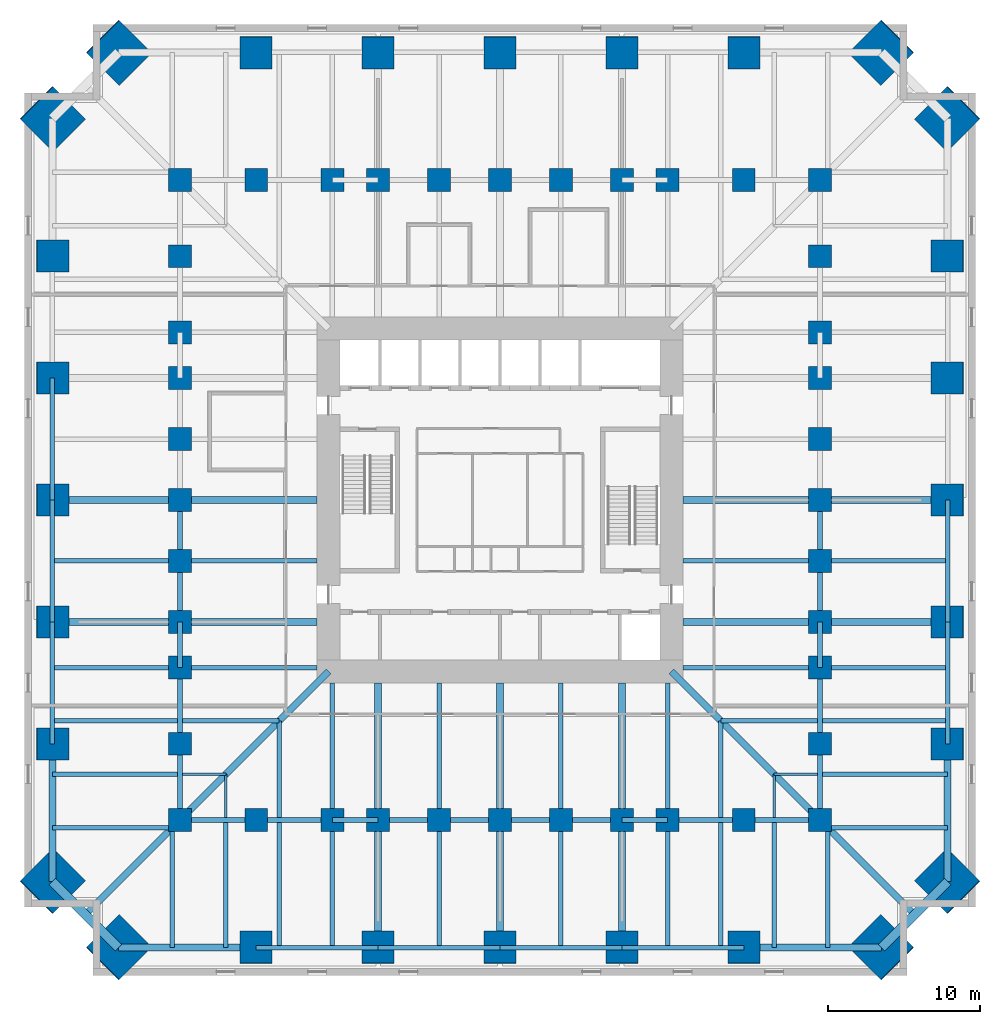
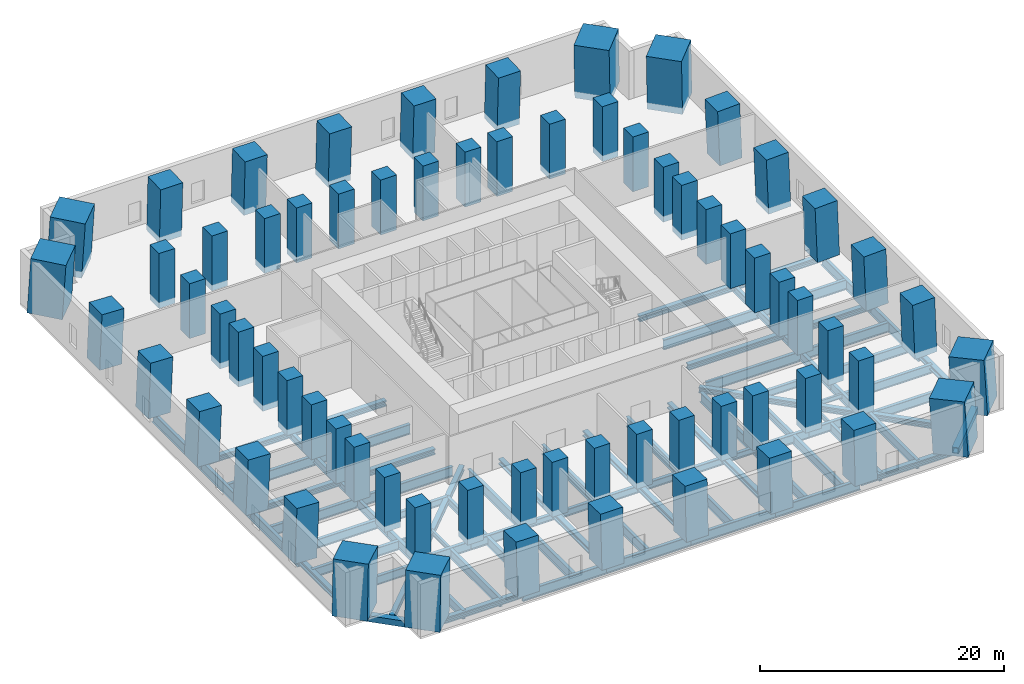
# One storey, part 1 of 8: 89 beams, 68 columns.
"""IFC4 building model written with IfcOpenShell, lengths in metres."""

from ifc_helpers import new_model, si_unit, direction, frame, origin, origin_2d, place, context, subcontext, project, spatial, rectangle, hollow_rectangle, i_section, extrude, material, material_profile, profile_set, type_object, element, save


model = new_model("IFC4")

# Units and contexts
model_context = context("Model", 3, precision=1e-05, world=origin(), true_north=direction((0.0, 1.0)))
body_context = subcontext(model_context, "Body", "Model", "MODEL_VIEW")
ifc_project = project(units=[si_unit("LENGTHUNIT", "METRE"), si_unit("AREAUNIT", "SQUARE_METRE"), si_unit("VOLUMEUNIT", "CUBIC_METRE"), si_unit("PLANEANGLEUNIT", "RADIAN"), si_unit("MASSUNIT", "GRAM", prefix="KILO")], contexts=[model_context])

# Site, building, storey
site_placement = place(None, origin())
site = spatial("IfcSite", under=ifc_project, at=site_placement, CompositionType="ELEMENT")
building_placement = place(site_placement, origin())
building = spatial("IfcBuilding", under=site, at=building_placement, Name="Peilmerk Tower", CompositionType="ELEMENT")
storey_placement = place(building_placement, frame((0.0, 0.0, 37.5)))
storey = spatial("IfcBuildingStorey", under=building, at=storey_placement, Name="L07", CompositionType="ELEMENT", Elevation=37.5)

# Columns
ifc_material_1 = material(Name="Concrete C90/105", Category="concrete")
ifc_material_profile_1 = material_profile(ifc_material_1, rectangle(XDim=3.0, YDim=3.0, at=origin_2d()), Name="RC 3000x3000")
ifc_profile_set_1 = profile_set([ifc_material_profile_1], Name="Concrete C90/105")
column_type_1 = type_object("IfcColumnType", Name="MC1 3000x3000 encased mega column", PredefinedType="COLUMN", material=ifc_profile_set_1)
for number, where, z_axis, x_axis, name in (
    (1, (25.03466796875, 29.384765625, 0.0), (-0.04024000792, -0.040284325109, 0.998377641433), (0.707495835723, -0.706717512472, 0.0), "Mega column MC1 NE_N L07"),
    (2, (29.384765625, 25.03466796875, 0.0), (-0.040284325109, -0.04024000792, 0.998377641433), (0.706717512472, -0.707495835723, 0.0), "Mega column MC1 NE_E L07"),
    (3, (29.384765625, -25.03466796875, 0.0), (-0.040284325109, 0.04024000792, 0.998377641433), (-0.706717512472, -0.707495835723, 0.0), "Mega column MC1 SE_E L07"),
    (4, (25.03466796875, -29.384765625, 0.0), (-0.04024000792, 0.040284325109, 0.998377641433), (-0.707495835723, -0.706717512472, 0.0), "Mega column MC1 SE_S L07"),
    (5, (-25.03466796875, -29.384765625, 0.0), (0.04024000792, 0.040284325109, 0.998377641433), (-0.707495835723, 0.706717512472, 0.0), "Mega column MC1 SW_S L07"),
    (6, (-29.384765625, -25.03466796875, 0.0), (0.040284325109, 0.04024000792, 0.998377641433), (-0.706717512472, 0.707495835723, 0.0), "Mega column MC1 SW_W L07"),
    (7, (-29.384765625, 25.03466796875, 0.0), (0.040284325109, -0.04024000792, 0.998377641433), (0.706717512472, 0.707495835723, 0.0), "Mega column MC1 NW_W L07"),
    (8, (-25.03466796875, 29.384765625, 0.0), (0.04024000792, -0.040284325109, 0.998377641433), (0.707495835723, 0.706717512472, 0.0), "Mega column MC1 NW_N L07"),
):
    element("IfcColumn", number, at=place(storey_placement, frame(where, z_axis=z_axis, x_axis=x_axis)), inside=storey, type_object=column_type_1, Name=name, PredefinedType="COLUMN", context=body_context, shape_type="SweptSolid", body=[
        extrude(rectangle(XDim=3.0, YDim=3.0, at=origin_2d()), origin(), (0.0, 0.0, 1.0), 5.509033203125),
    ])
ifc_material_profile_2 = material_profile(ifc_material_1, rectangle(XDim=2.10009765625, YDim=2.10009765625, at=origin_2d()), Name="RC 2100x2100")
ifc_profile_set_2 = profile_set([ifc_material_profile_2], Name="Concrete C90/105")
column_type_2 = type_object("IfcColumnType", Name="SC3 2100x2100 encased perimeter column", PredefinedType="COLUMN", material=ifc_profile_set_2)
for number, where, z_axis, x_axis, name in (
    (9, (0.0, 29.384765625, 0.0), (0.0, -0.040316980135, 0.999186940023), (1.0, 0.0, 0.0), "Perimeter column N+0 L07"),
    (10, (8.0, 29.384765625, 0.0), (0.0, -0.040316980135, 0.999186940023), (1.0, 0.0, 0.0), "Perimeter column N-8 L07"),
    (11, (-8.0, 29.384765625, 0.0), (0.0, -0.040316980135, 0.999186940023), (1.0, 0.0, 0.0), "Perimeter column N+8 L07"),
    (12, (16.0, 29.384765625, 0.0), (0.0, -0.040316980135, 0.999186940023), (1.0, 0.0, 0.0), "Perimeter column N-16 L07"),
    (13, (-16.0, 29.384765625, 0.0), (0.0, -0.040316980135, 0.999186940023), (1.0, 0.0, 0.0), "Perimeter column N+16 L07"),
    (14, (29.384765625, 0.0, 0.0), (-0.040316980135, 0.0, 0.999186940023), (0.0, -1.0, 0.0), "Perimeter column E+0 L07"),
    (15, (29.384765625, -8.0, 0.0), (-0.040316980135, 0.0, 0.999186940023), (0.0, -1.0, 0.0), "Perimeter column E-8 L07"),
    (16, (29.384765625, 8.0, 0.0), (-0.040316980135, 0.0, 0.999186940023), (0.0, -1.0, 0.0), "Perimeter column E+8 L07"),
    (17, (29.384765625, -16.0, 0.0), (-0.040316980135, 0.0, 0.999186940023), (0.0, -1.0, 0.0), "Perimeter column E-16 L07"),
    (18, (29.384765625, 16.0, 0.0), (-0.040316980135, 0.0, 0.999186940023), (0.0, -1.0, 0.0), "Perimeter column E+16 L07"),
    (19, (0.0, -29.384765625, 0.0), (0.0, 0.040316980135, 0.999186940023), (-1.0, 0.0, 0.0), "Perimeter column S+0 L07"),
    (20, (-8.0, -29.384765625, 0.0), (0.0, 0.040316980135, 0.999186940023), (-1.0, 0.0, 0.0), "Perimeter column S-8 L07"),
    (21, (8.0, -29.384765625, 0.0), (0.0, 0.040316980135, 0.999186940023), (-1.0, 0.0, 0.0), "Perimeter column S+8 L07"),
    (22, (-16.0, -29.384765625, 0.0), (0.0, 0.040316980135, 0.999186940023), (-1.0, 0.0, 0.0), "Perimeter column S-16 L07"),
    (23, (16.0, -29.384765625, 0.0), (0.0, 0.040316980135, 0.999186940023), (-1.0, 0.0, 0.0), "Perimeter column S+16 L07"),
    (24, (-29.384765625, 0.0, 0.0), (0.040316980135, 0.0, 0.999186940023), (0.0, 1.0, 0.0), "Perimeter column W+0 L07"),
    (25, (-29.384765625, 8.0, 0.0), (0.040316980135, 0.0, 0.999186940023), (0.0, 1.0, 0.0), "Perimeter column W-8 L07"),
    (26, (-29.384765625, -8.0, 0.0), (0.040316980135, 0.0, 0.999186940023), (0.0, 1.0, 0.0), "Perimeter column W+8 L07"),
    (27, (-29.384765625, 16.0, 0.0), (0.040316980135, 0.0, 0.999186940023), (0.0, 1.0, 0.0), "Perimeter column W-16 L07"),
    (28, (-29.384765625, -16.0, 0.0), (0.040316980135, 0.0, 0.999186940023), (0.0, 1.0, 0.0), "Perimeter column W+16 L07"),
):
    element("IfcColumn", number, at=place(storey_placement, frame(where, z_axis=z_axis, x_axis=x_axis)), inside=storey, type_object=column_type_2, Name=name, PredefinedType="COLUMN", context=body_context, shape_type="SweptSolid", body=[
        extrude(rectangle(XDim=2.10009765625, YDim=2.10009765625, at=origin_2d()), origin(), (0.0, 0.0, 1.0), 5.50439453125),
    ])
ifc_material_profile_3 = material_profile(ifc_material_1, rectangle(XDim=1.5, YDim=1.5, at=origin_2d()), Name="RC 1500x1500")
ifc_profile_set_3 = profile_set([ifc_material_profile_3], Name="Concrete C90/105")
column_type_3 = type_object("IfcColumnType", Name="SC4 1500x1500 encased interior column", PredefinedType="COLUMN", material=ifc_profile_set_3)
for number, where, z_axis, x_axis, name in (
    (29, (0.0, 21.0, 0.0), (0.0, 0.0, 1.0), (1.0, 0.0, 0.0), "Interior column N+0 L07"),
    (30, (4.0, 21.0, 0.0), (0.0, 0.0, 1.0), (1.0, 0.0, 0.0), "Interior column N-4 L07"),
    (31, (-4.0, 21.0, 0.0), (0.0, 0.0, 1.0), (1.0, 0.0, 0.0), "Interior column N+4 L07"),
    (32, (8.0, 21.0, 0.0), (0.0, 0.0, 1.0), (1.0, 0.0, 0.0), "Interior column N-8 L07"),
    (33, (-8.0, 21.0, 0.0), (0.0, 0.0, 1.0), (1.0, 0.0, 0.0), "Interior column N+8 L07"),
    (34, (11.0, 21.0, 0.0), (0.0, 0.0, 1.0), (1.0, 0.0, 0.0), "Interior column N-11 L07"),
    (35, (-11.0, 21.0, 0.0), (0.0, 0.0, 1.0), (1.0, 0.0, 0.0), "Interior column N+11 L07"),
    (36, (16.0, 21.0, 0.0), (0.0, 0.0, 1.0), (1.0, 0.0, 0.0), "Interior column N-16 L07"),
    (37, (-16.0, 21.0, 0.0), (0.0, 0.0, 1.0), (1.0, 0.0, 0.0), "Interior column N+16 L07"),
    (38, (21.0, 0.0, 0.0), (0.0, 0.0, 1.0), (1.0, 0.0, 0.0), "Interior column E+0 L07"),
    (39, (21.0, -4.0, 0.0), (0.0, 0.0, 1.0), (1.0, 0.0, 0.0), "Interior column E-4 L07"),
    (40, (21.0, 4.0, 0.0), (0.0, 0.0, 1.0), (1.0, 0.0, 0.0), "Interior column E+4 L07"),
    (41, (21.0, -8.0, 0.0), (0.0, 0.0, 1.0), (1.0, 0.0, 0.0), "Interior column E-8 L07"),
    (42, (21.0, 8.0, 0.0), (0.0, 0.0, 1.0), (1.0, 0.0, 0.0), "Interior column E+8 L07"),
    (43, (21.0, -11.0, 0.0), (0.0, 0.0, 1.0), (1.0, 0.0, 0.0), "Interior column E-11 L07"),
    (44, (21.0, 11.0, 0.0), (0.0, 0.0, 1.0), (1.0, 0.0, 0.0), "Interior column E+11 L07"),
    (45, (21.0, -16.0, 0.0), (0.0, 0.0, 1.0), (1.0, 0.0, 0.0), "Interior column E-16 L07"),
    (46, (21.0, 16.0, 0.0), (0.0, 0.0, 1.0), (1.0, 0.0, 0.0), "Interior column E+16 L07"),
    (47, (0.0, -21.0, 0.0), (0.0, 0.0, 1.0), (1.0, 0.0, 0.0), "Interior column S+0 L07"),
    (48, (-4.0, -21.0, 0.0), (0.0, 0.0, 1.0), (1.0, 0.0, 0.0), "Interior column S-4 L07"),
    (49, (4.0, -21.0, 0.0), (0.0, 0.0, 1.0), (1.0, 0.0, 0.0), "Interior column S+4 L07"),
    (50, (-8.0, -21.0, 0.0), (0.0, 0.0, 1.0), (1.0, 0.0, 0.0), "Interior column S-8 L07"),
    (51, (8.0, -21.0, 0.0), (0.0, 0.0, 1.0), (1.0, 0.0, 0.0), "Interior column S+8 L07"),
    (52, (-11.0, -21.0, 0.0), (0.0, 0.0, 1.0), (1.0, 0.0, 0.0), "Interior column S-11 L07"),
    (53, (11.0, -21.0, 0.0), (0.0, 0.0, 1.0), (1.0, 0.0, 0.0), "Interior column S+11 L07"),
    (54, (-16.0, -21.0, 0.0), (0.0, 0.0, 1.0), (1.0, 0.0, 0.0), "Interior column S-16 L07"),
    (55, (16.0, -21.0, 0.0), (0.0, 0.0, 1.0), (1.0, 0.0, 0.0), "Interior column S+16 L07"),
    (56, (-21.0, 0.0, 0.0), (0.0, 0.0, 1.0), (1.0, 0.0, 0.0), "Interior column W+0 L07"),
    (57, (-21.0, 4.0, 0.0), (0.0, 0.0, 1.0), (1.0, 0.0, 0.0), "Interior column W-4 L07"),
    (58, (-21.0, -4.0, 0.0), (0.0, 0.0, 1.0), (1.0, 0.0, 0.0), "Interior column W+4 L07"),
    (59, (-21.0, 8.0, 0.0), (0.0, 0.0, 1.0), (1.0, 0.0, 0.0), "Interior column W-8 L07"),
    (60, (-21.0, -8.0, 0.0), (0.0, 0.0, 1.0), (1.0, 0.0, 0.0), "Interior column W+8 L07"),
    (61, (-21.0, 11.0, 0.0), (0.0, 0.0, 1.0), (1.0, 0.0, 0.0), "Interior column W-11 L07"),
    (62, (-21.0, -11.0, 0.0), (0.0, 0.0, 1.0), (1.0, 0.0, 0.0), "Interior column W+11 L07"),
    (63, (-21.0, 16.0, 0.0), (0.0, 0.0, 1.0), (1.0, 0.0, 0.0), "Interior column W-16 L07"),
    (64, (-21.0, -16.0, 0.0), (0.0, 0.0, 1.0), (1.0, 0.0, 0.0), "Interior column W+16 L07"),
    (65, (21.0, 21.0, 0.0), (0.0, 0.0, 1.0), (1.0, 0.0, 0.0), "Interior column NE L07"),
    (66, (21.0, -21.0, 0.0), (0.0, 0.0, 1.0), (1.0, 0.0, 0.0), "Interior column SE L07"),
    (67, (-21.0, -21.0, 0.0), (0.0, 0.0, 1.0), (1.0, 0.0, 0.0), "Interior column SW L07"),
    (68, (-21.0, 21.0, 0.0), (0.0, 0.0, 1.0), (1.0, 0.0, 0.0), "Interior column NW L07"),
):
    element("IfcColumn", number, at=place(storey_placement, frame(where, z_axis=z_axis, x_axis=x_axis)), inside=storey, type_object=column_type_3, Name=name, PredefinedType="COLUMN", context=body_context, shape_type="SweptSolid", body=[
        extrude(rectangle(XDim=1.5, YDim=1.5, at=origin_2d()), origin(), (0.0, 0.0, 1.0), 5.5),
    ])

# Beams
ifc_material_2 = material(Name="Steel S355", Category="steel")
ifc_material_profile_4 = material_profile(ifc_material_2, i_section(OverallWidth=0.302001953125, OverallDepth=1.008056640625, WebThickness=0.02099609375, FlangeThickness=0.0400390625, at=origin_2d()), Name="HEM 1000")
ifc_profile_set_4 = profile_set([ifc_material_profile_4], Name="Steel S355")
beam_type_1 = type_object("IfcBeamType", Name="B1 HEM 1000 edge beam", PredefinedType="SPANDREL", material=ifc_profile_set_4)
for number, where, z_axis, x_axis, name in (
    (69, (29.384765625, -16.0, -0.7041015625), (0.0, 1.0, 0.0), (-1.0, 0.0, 0.0), "Edge beam L07"),
    (70, (29.384765625, -8.0, -0.7041015625), (0.0, 1.0, 0.0), (-1.0, 0.0, 0.0), "Edge beam L07"),
    (71, (-16.0, -29.384765625, -0.7041015625), (1.0, 0.0, 0.0), (0.0, 1.0, 0.0), "Edge beam L07"),
    (72, (-8.0, -29.384765625, -0.7041015625), (1.0, 0.0, 0.0), (0.0, 1.0, 0.0), "Edge beam L07"),
    (73, (0.0, -29.384765625, -0.7041015625), (1.0, 0.0, 0.0), (0.0, 1.0, 0.0), "Edge beam L07"),
    (74, (8.0, -29.384765625, -0.7041015625), (1.0, 0.0, 0.0), (0.0, 1.0, 0.0), "Edge beam L07"),
    (75, (-29.384765625, 8.0, -0.7041015625), (0.0, -1.0, 0.0), (1.0, 0.0, 0.0), "Edge beam L07"),
    (76, (-29.384765625, 0.0, -0.7041015625), (0.0, -1.0, 0.0), (1.0, 0.0, 0.0), "Edge beam L07"),
    (77, (-29.384765625, -8.0, -0.7041015625), (0.0, -1.0, 0.0), (1.0, 0.0, 0.0), "Edge beam L07"),
):
    element("IfcBeam", number, at=place(storey_placement, frame(where, z_axis=z_axis, x_axis=x_axis)), inside=storey, type_object=beam_type_1, Name=name, PredefinedType="SPANDREL", context=body_context, shape_type="SweptSolid", body=[
        extrude(i_section(OverallWidth=0.302001953125, OverallDepth=1.008056640625, WebThickness=0.02099609375, FlangeThickness=0.0400390625, at=origin_2d()), origin(), (0.0, 0.0, 1.0), 8.0),
    ])
ifc_material_profile_5 = material_profile(ifc_material_2, i_section(OverallWidth=0.300048828125, OverallDepth=0.989990234375, WebThickness=0.0166015625, FlangeThickness=0.031005859375, at=origin_2d()), Name="HEA 1000")
ifc_profile_set_5 = profile_set([ifc_material_profile_5], Name="Steel S355")
beam_type_2 = type_object("IfcBeamType", Name="B14 HEA 1000 floor girder", PredefinedType="BEAM", material=ifc_profile_set_5)
for number, where, z_axis, x_axis, name in (
    (78, (21.0, -11.0, -0.695068359375), (1.0, 0.0, 0.0), (0.0, 1.0, 0.0), "Floor beam L07"),
    (79, (21.0, -4.0, -0.695068359375), (1.0, 0.0, 0.0), (0.0, 1.0, 0.0), "Floor beam L07"),
    (80, (-11.0, -21.0, -0.695068359375), (0.0, -1.0, 0.0), (1.0, 0.0, 0.0), "Floor beam L07"),
    (81, (-4.0, -21.0, -0.695068359375), (0.0, -1.0, 0.0), (1.0, 0.0, 0.0), "Floor beam L07"),
    (82, (4.0, -21.0, -0.695068359375), (0.0, -1.0, 0.0), (1.0, 0.0, 0.0), "Floor beam L07"),
    (83, (11.0, -21.0, -0.695068359375), (0.0, -1.0, 0.0), (1.0, 0.0, 0.0), "Floor beam L07"),
    (84, (-21.0, -4.0, -0.695068359375), (-1.0, 0.0, 0.0), (0.0, -1.0, 0.0), "Floor beam L07"),
    (85, (-21.0, -11.0, -0.695068359375), (-1.0, 0.0, 0.0), (0.0, -1.0, 0.0), "Floor beam L07"),
):
    element("IfcBeam", number, at=place(storey_placement, frame(where, z_axis=z_axis, x_axis=x_axis)), inside=storey, type_object=beam_type_2, Name=name, PredefinedType="BEAM", context=body_context, shape_type="SweptSolid", body=[
        extrude(i_section(OverallWidth=0.300048828125, OverallDepth=0.989990234375, WebThickness=0.0166015625, FlangeThickness=0.031005859375, at=origin_2d()), origin(), (0.0, 0.0, 1.0), 8.384765625),
    ])
ifc_material_profile_6 = material_profile(ifc_material_2, i_section(OverallWidth=0.300048828125, OverallDepth=0.68994140625, WebThickness=0.014404296875, FlangeThickness=0.027099609375, at=origin_2d()), Name="HEA 700")
ifc_profile_set_6 = profile_set([ifc_material_profile_6], Name="Steel S355")
beam_type_3 = type_object("IfcBeamType", Name="B16 HEA 700 floor beam", PredefinedType="BEAM", material=ifc_profile_set_6)
for number, where, z_axis, x_axis, name in (
    (86, (14.5, -14.5, -0.544921875), (0.0, -1.0, 0.0), (1.0, 0.0, 0.0), "Floor beam L07"),
    (87, (14.5, -14.5, -0.544921875), (1.0, 0.0, 0.0), (0.0, 1.0, 0.0), "Floor beam L07"),
    (88, (-14.5, -14.5, -0.544921875), (0.0, -1.0, 0.0), (1.0, 0.0, 0.0), "Floor beam L07"),
    (89, (-14.5, -14.5, -0.544921875), (-1.0, 0.0, 0.0), (0.0, -1.0, 0.0), "Floor beam L07"),
):
    element("IfcBeam", number, at=place(storey_placement, frame(where, z_axis=z_axis, x_axis=x_axis)), inside=storey, type_object=beam_type_3, Name=name, PredefinedType="BEAM", context=body_context, shape_type="SweptSolid", body=[
        extrude(i_section(OverallWidth=0.300048828125, OverallDepth=0.68994140625, WebThickness=0.014404296875, FlangeThickness=0.027099609375, at=origin_2d()), origin(), (0.0, 0.0, 1.0), 6.34912109375),
    ])
ifc_material_3 = material(Name="Steel S460", Category="steel")
ifc_material_profile_7 = material_profile(ifc_material_3, i_section(OverallWidth=0.4541015625, OverallDepth=0.569091796875, WebThickness=0.077880859375, FlangeThickness=0.125, at=origin_2d()), Name="HD 400x1086")
ifc_profile_set_7 = profile_set([ifc_material_profile_7], Name="Steel S460")
beam_type_4 = type_object("IfcBeamType", Name="B17 HD 400x1086 edge beam", PredefinedType="SPANDREL", material=ifc_profile_set_7)
for number, where, z_axis, x_axis, name in (
    (90, (29.384765625, -25.03466796875, -0.484619140625), (0.0, 1.0, 0.0), (-1.0, 0.0, 0.0), "Edge beam L07"),
    (91, (-25.03466796875, -29.384765625, -0.484619140625), (1.0, 0.0, 0.0), (0.0, 1.0, 0.0), "Edge beam L07"),
    (92, (16.0, -29.384765625, -0.484619140625), (1.0, 0.0, 0.0), (0.0, 1.0, 0.0), "Edge beam L07"),
    (93, (-29.384765625, -16.0, -0.484619140625), (0.0, -1.0, 0.0), (1.0, 0.0, 0.0), "Edge beam L07"),
):
    element("IfcBeam", number, at=place(storey_placement, frame(where, z_axis=z_axis, x_axis=x_axis)), inside=storey, type_object=beam_type_4, Name=name, PredefinedType="SPANDREL", context=body_context, shape_type="SweptSolid", body=[
        extrude(i_section(OverallWidth=0.4541015625, OverallDepth=0.569091796875, WebThickness=0.077880859375, FlangeThickness=0.125, at=origin_2d()), origin(), (0.0, 0.0, 1.0), 9.03466796875),
    ])
ifc_material_profile_8 = material_profile(ifc_material_2, i_section(OverallWidth=0.302001953125, OverallDepth=0.909912109375, WebThickness=0.02099609375, FlangeThickness=0.0400390625, at=origin_2d()), Name="HEM 900")
ifc_profile_set_8 = profile_set([ifc_material_profile_8], Name="Steel S355")
beam_type_5 = type_object("IfcBeamType", Name="B18 HEM 900 ring girder", PredefinedType="BEAM", material=ifc_profile_set_8)
for number, where, z_axis, x_axis, name in (
    (94, (21.0, -21.0, -0.655029296875), (0.0, 1.0, 0.0), (-1.0, 0.0, 0.0), "Ring girder L07"),
    (95, (21.0, -16.0, -0.655029296875), (0.0, 1.0, 0.0), (-1.0, 0.0, 0.0), "Ring girder L07"),
    (96, (-21.0, -21.0, -0.655029296875), (1.0, 0.0, 0.0), (0.0, 1.0, 0.0), "Ring girder L07"),
    (97, (-16.0, -21.0, -0.655029296875), (1.0, 0.0, 0.0), (0.0, 1.0, 0.0), "Ring girder L07"),
    (98, (11.0, -21.0, -0.655029296875), (1.0, 0.0, 0.0), (0.0, 1.0, 0.0), "Ring girder L07"),
    (99, (16.0, -21.0, -0.655029296875), (1.0, 0.0, 0.0), (0.0, 1.0, 0.0), "Ring girder L07"),
    (100, (-21.0, -11.0, -0.655029296875), (0.0, -1.0, 0.0), (1.0, 0.0, 0.0), "Ring girder L07"),
    (101, (-21.0, -16.0, -0.655029296875), (0.0, -1.0, 0.0), (1.0, 0.0, 0.0), "Ring girder L07"),
):
    element("IfcBeam", number, at=place(storey_placement, frame(where, z_axis=z_axis, x_axis=x_axis)), inside=storey, type_object=beam_type_5, Name=name, PredefinedType="BEAM", context=body_context, shape_type="SweptSolid", body=[
        extrude(i_section(OverallWidth=0.302001953125, OverallDepth=0.909912109375, WebThickness=0.02099609375, FlangeThickness=0.0400390625, at=origin_2d()), origin(), (0.0, 0.0, 1.0), 5.0),
    ])
ifc_material_profile_9 = material_profile(ifc_material_2, i_section(OverallWidth=0.303955078125, OverallDepth=0.716064453125, WebThickness=0.02099609375, FlangeThickness=0.0400390625, at=origin_2d()), Name="HEM 700")
ifc_profile_set_9 = profile_set([ifc_material_profile_9], Name="Steel S355")
beam_type_6 = type_object("IfcBeamType", Name="B19 HEM 700 ring girder", PredefinedType="BEAM", material=ifc_profile_set_9)
for number, where, z_axis, x_axis, name in (
    (102, (21.0, -8.0, -0.55810546875), (0.0, 1.0, 0.0), (-1.0, 0.0, 0.0), "Ring girder L07"),
    (103, (21.0, -4.0, -0.55810546875), (0.0, 1.0, 0.0), (-1.0, 0.0, 0.0), "Ring girder L07"),
    (104, (-8.0, -21.0, -0.55810546875), (1.0, 0.0, 0.0), (0.0, 1.0, 0.0), "Ring girder L07"),
    (105, (-4.0, -21.0, -0.55810546875), (1.0, 0.0, 0.0), (0.0, 1.0, 0.0), "Ring girder L07"),
    (106, (0.0, -21.0, -0.55810546875), (1.0, 0.0, 0.0), (0.0, 1.0, 0.0), "Ring girder L07"),
    (107, (4.0, -21.0, -0.55810546875), (1.0, 0.0, 0.0), (0.0, 1.0, 0.0), "Ring girder L07"),
    (108, (-21.0, 0.0, -0.55810546875), (0.0, -1.0, 0.0), (1.0, 0.0, 0.0), "Ring girder L07"),
    (109, (-21.0, -4.0, -0.55810546875), (0.0, -1.0, 0.0), (1.0, 0.0, 0.0), "Ring girder L07"),
):
    element("IfcBeam", number, at=place(storey_placement, frame(where, z_axis=z_axis, x_axis=x_axis)), inside=storey, type_object=beam_type_6, Name=name, PredefinedType="BEAM", context=body_context, shape_type="SweptSolid", body=[
        extrude(i_section(OverallWidth=0.303955078125, OverallDepth=0.716064453125, WebThickness=0.02099609375, FlangeThickness=0.0400390625, at=origin_2d()), origin(), (0.0, 0.0, 1.0), 4.0),
    ])
ifc_material_profile_10 = material_profile(ifc_material_3, hollow_rectangle(XDim=0.60009765625, YDim=0.60009765625, WallThickness=0.06005859375, at=origin_2d()), Name="BOX 600x600x60")
ifc_profile_set_10 = profile_set([ifc_material_profile_10], Name="Steel S460")
beam_type_7 = type_object("IfcBeamType", Name="B20 BOX 600x600x60 notch beam", PredefinedType="SPANDREL", material=ifc_profile_set_10)
for number, where, z_axis, x_axis, name in (
    (110, (29.384765625, -25.03466796875, -0.5), (-0.707106781187, -0.707106781187, 0.0), (0.707106781187, -0.707106781187, 0.0), "Notch beam L07"),
    (111, (-25.03466796875, -29.384765625, -0.5), (-0.707106781187, 0.707106781187, 0.0), (-0.707106781187, -0.707106781187, 0.0), "Notch beam L07"),
):
    element("IfcBeam", number, at=place(storey_placement, frame(where, z_axis=z_axis, x_axis=x_axis)), inside=storey, type_object=beam_type_7, Name=name, PredefinedType="SPANDREL", context=body_context, shape_type="SweptSolid", body=[
        extrude(hollow_rectangle(XDim=0.60009765625, YDim=0.60009765625, WallThickness=0.06005859375, at=origin_2d()), origin(), (0.0, 0.0, 1.0), 6.15185546875),
    ])
ifc_material_profile_11 = material_profile(ifc_material_2, i_section(OverallWidth=0.18994140625, OverallDepth=0.449951171875, WebThickness=0.009521484375, FlangeThickness=0.0146484375, at=origin_2d()), Name="IPE 450")
ifc_profile_set_11 = profile_set([ifc_material_profile_11], Name="Steel S355")
beam_type_8 = type_object("IfcBeamType", Name="B21 IPE 450 floor beam", PredefinedType="BEAM", material=ifc_profile_set_11)
for number, where, z_axis, x_axis, name in (
    (112, (18.0, -18.0, -0.425048828125), (0.0, -1.0, 0.0), (1.0, 0.0, 0.0), "Floor beam L07"),
    (113, (18.0, -18.0, -0.425048828125), (1.0, 0.0, 0.0), (0.0, 1.0, 0.0), "Floor beam L07"),
    (114, (-18.0, -18.0, -0.425048828125), (0.0, -1.0, 0.0), (1.0, 0.0, 0.0), "Floor beam L07"),
    (115, (-18.0, -18.0, -0.425048828125), (-1.0, 0.0, 0.0), (0.0, -1.0, 0.0), "Floor beam L07"),
):
    element("IfcBeam", number, at=place(storey_placement, frame(where, z_axis=z_axis, x_axis=x_axis)), inside=storey, type_object=beam_type_8, Name=name, PredefinedType="BEAM", context=body_context, shape_type="SweptSolid", body=[
        extrude(i_section(OverallWidth=0.18994140625, OverallDepth=0.449951171875, WebThickness=0.009521484375, FlangeThickness=0.0146484375, at=origin_2d()), origin(), (0.0, 0.0, 1.0), 2.84912109375),
    ])
ifc_material_profile_12 = material_profile(ifc_material_2, i_section(OverallWidth=0.4541015625, OverallDepth=0.569091796875, WebThickness=0.077880859375, FlangeThickness=0.125, at=origin_2d()), Name="HD 400x1086")
ifc_profile_set_12 = profile_set([ifc_material_profile_12], Name="Steel S355")
beam_type_9 = type_object("IfcBeamType", Name="B22 HD 400x1086 floor girder", PredefinedType="BEAM", material=ifc_profile_set_12)
for number, where, z_axis, x_axis, name in (
    (116, (21.0, -8.0, -0.484619140625), (1.0, 0.0, 0.0), (0.0, 1.0, 0.0), "Floor girder L07"),
    (117, (21.0, 0.0, -0.484619140625), (1.0, 0.0, 0.0), (0.0, 1.0, 0.0), "Floor girder L07"),
    (118, (-8.0, -21.0, -0.484619140625), (0.0, -1.0, 0.0), (1.0, 0.0, 0.0), "Floor girder L07"),
    (119, (0.0, -21.0, -0.484619140625), (0.0, -1.0, 0.0), (1.0, 0.0, 0.0), "Floor girder L07"),
    (120, (8.0, -21.0, -0.484619140625), (0.0, -1.0, 0.0), (1.0, 0.0, 0.0), "Floor girder L07"),
    (121, (-21.0, 0.0, -0.484619140625), (-1.0, 0.0, 0.0), (0.0, -1.0, 0.0), "Floor girder L07"),
    (122, (-21.0, -8.0, -0.484619140625), (-1.0, 0.0, 0.0), (0.0, -1.0, 0.0), "Floor girder L07"),
):
    element("IfcBeam", number, at=place(storey_placement, frame(where, z_axis=z_axis, x_axis=x_axis)), inside=storey, type_object=beam_type_9, Name=name, PredefinedType="BEAM", context=body_context, shape_type="SweptSolid", body=[
        extrude(i_section(OverallWidth=0.4541015625, OverallDepth=0.569091796875, WebThickness=0.077880859375, FlangeThickness=0.125, at=origin_2d()), origin(), (0.0, 0.0, 1.0), 8.384765625),
    ])
ifc_material_profile_13 = material_profile(ifc_material_2, i_section(OverallWidth=0.300048828125, OverallDepth=0.889892578125, WebThickness=0.01611328125, FlangeThickness=0.030029296875, at=origin_2d()), Name="HEA 900")
ifc_profile_set_13 = profile_set([ifc_material_profile_13], Name="Steel S355")
beam_type_10 = type_object("IfcBeamType", Name="B4 HEA 900 floor beam", PredefinedType="BEAM", material=ifc_profile_set_13)
for number, where, z_axis, x_axis, name in (
    (123, (14.5, -21.15087890625, -0.64501953125), (0.0, -1.0, 0.0), (1.0, 0.0, 0.0), "Floor beam L07"),
    (124, (21.15087890625, -14.5, -0.64501953125), (1.0, 0.0, 0.0), (0.0, 1.0, 0.0), "Floor beam L07"),
    (125, (18.0, -21.15087890625, -0.64501953125), (0.0, -1.0, 0.0), (1.0, 0.0, 0.0), "Floor beam L07"),
    (126, (21.15087890625, -18.0, -0.64501953125), (1.0, 0.0, 0.0), (0.0, 1.0, 0.0), "Floor beam L07"),
):
    element("IfcBeam", number, at=place(storey_placement, frame(where, z_axis=z_axis, x_axis=x_axis)), inside=storey, type_object=beam_type_10, Name=name, PredefinedType="BEAM", context=body_context, shape_type="SweptSolid", body=[
        extrude(i_section(OverallWidth=0.300048828125, OverallDepth=0.889892578125, WebThickness=0.01611328125, FlangeThickness=0.030029296875, at=origin_2d()), origin(), (0.0, 0.0, 1.0), 8.23388671875),
    ])
for number, where, z_axis, x_axis, name in (
    (127, (21.5, -21.5, -0.64501953125), (0.0, -1.0, 0.0), (1.0, 0.0, 0.0), "Floor beam L07"),
    (128, (21.5, -21.5, -0.64501953125), (1.0, 0.0, 0.0), (0.0, 1.0, 0.0), "Floor beam L07"),
):
    element("IfcBeam", number, at=place(storey_placement, frame(where, z_axis=z_axis, x_axis=x_axis)), inside=storey, type_object=beam_type_10, Name=name, PredefinedType="BEAM", context=body_context, shape_type="SweptSolid", body=[
        extrude(i_section(OverallWidth=0.300048828125, OverallDepth=0.889892578125, WebThickness=0.01611328125, FlangeThickness=0.030029296875, at=origin_2d()), origin(), (0.0, 0.0, 1.0), 7.884765625),
    ])
for number, where, z_axis, x_axis, name in (
    (129, (-14.5, -21.15087890625, -0.64501953125), (0.0, -1.0, 0.0), (1.0, 0.0, 0.0), "Floor beam L07"),
    (130, (-21.15087890625, -14.5, -0.64501953125), (-1.0, 0.0, 0.0), (0.0, -1.0, 0.0), "Floor beam L07"),
    (131, (-18.0, -21.15087890625, -0.64501953125), (0.0, -1.0, 0.0), (1.0, 0.0, 0.0), "Floor beam L07"),
    (132, (-21.15087890625, -18.0, -0.64501953125), (-1.0, 0.0, 0.0), (0.0, -1.0, 0.0), "Floor beam L07"),
):
    element("IfcBeam", number, at=place(storey_placement, frame(where, z_axis=z_axis, x_axis=x_axis)), inside=storey, type_object=beam_type_10, Name=name, PredefinedType="BEAM", context=body_context, shape_type="SweptSolid", body=[
        extrude(i_section(OverallWidth=0.300048828125, OverallDepth=0.889892578125, WebThickness=0.01611328125, FlangeThickness=0.030029296875, at=origin_2d()), origin(), (0.0, 0.0, 1.0), 8.23388671875),
    ])
for number, where, z_axis, x_axis, name in (
    (133, (-21.5, -21.5, -0.64501953125), (0.0, -1.0, 0.0), (1.0, 0.0, 0.0), "Floor beam L07"),
    (134, (-21.5, -21.5, -0.64501953125), (-1.0, 0.0, 0.0), (0.0, -1.0, 0.0), "Floor beam L07"),
):
    element("IfcBeam", number, at=place(storey_placement, frame(where, z_axis=z_axis, x_axis=x_axis)), inside=storey, type_object=beam_type_10, Name=name, PredefinedType="BEAM", context=body_context, shape_type="SweptSolid", body=[
        extrude(i_section(OverallWidth=0.300048828125, OverallDepth=0.889892578125, WebThickness=0.01611328125, FlangeThickness=0.030029296875, at=origin_2d()), origin(), (0.0, 0.0, 1.0), 7.884765625),
    ])
ifc_material_profile_14 = material_profile(ifc_material_2, i_section(OverallWidth=0.300048828125, OverallDepth=1.0, WebThickness=0.01904296875, FlangeThickness=0.035888671875, at=origin_2d()), Name="HEB 1000")
ifc_profile_set_14 = profile_set([ifc_material_profile_14], Name="Steel S355")
beam_type_11 = type_object("IfcBeamType", Name="B5 HEB 1000 floor girder", PredefinedType="BEAM", material=ifc_profile_set_14)
for number, where, z_axis, x_axis, name in (
    (135, (12.0, -11.0, -0.699951171875), (1.0, 0.0, 0.0), (0.0, 1.0, 0.0), "Floor beam L07"),
    (136, (12.0, -4.0, -0.699951171875), (1.0, 0.0, 0.0), (0.0, 1.0, 0.0), "Floor beam L07"),
    (137, (-11.0, -12.0, -0.699951171875), (0.0, -1.0, 0.0), (1.0, 0.0, 0.0), "Floor beam L07"),
    (138, (-4.0, -12.0, -0.699951171875), (0.0, -1.0, 0.0), (1.0, 0.0, 0.0), "Floor beam L07"),
    (139, (4.0, -12.0, -0.699951171875), (0.0, -1.0, 0.0), (1.0, 0.0, 0.0), "Floor beam L07"),
    (140, (11.0, -12.0, -0.699951171875), (0.0, -1.0, 0.0), (1.0, 0.0, 0.0), "Floor beam L07"),
    (141, (-12.0, -4.0, -0.699951171875), (-1.0, 0.0, 0.0), (0.0, -1.0, 0.0), "Floor beam L07"),
    (142, (-12.0, -11.0, -0.699951171875), (-1.0, 0.0, 0.0), (0.0, -1.0, 0.0), "Floor beam L07"),
):
    element("IfcBeam", number, at=place(storey_placement, frame(where, z_axis=z_axis, x_axis=x_axis)), inside=storey, type_object=beam_type_11, Name=name, PredefinedType="BEAM", context=body_context, shape_type="SweptSolid", body=[
        extrude(i_section(OverallWidth=0.300048828125, OverallDepth=1.0, WebThickness=0.01904296875, FlangeThickness=0.035888671875, at=origin_2d()), origin(), (0.0, 0.0, 1.0), 9.0),
    ])
ifc_material_profile_15 = material_profile(ifc_material_2, i_section(OverallWidth=0.304931640625, OverallDepth=0.6201171875, WebThickness=0.02099609375, FlangeThickness=0.0400390625, at=origin_2d()), Name="HEM 600")
ifc_profile_set_15 = profile_set([ifc_material_profile_15], Name="Steel S355")
beam_type_12 = type_object("IfcBeamType", Name="B6 HEM 600 ring girder", PredefinedType="BEAM", material=ifc_profile_set_15)
for number, where, z_axis, x_axis, name in (
    (143, (21.0, -11.0, -0.510009765625), (0.0, 1.0, 0.0), (-1.0, 0.0, 0.0), "Ring girder L07"),
    (144, (-11.0, -21.0, -0.510009765625), (1.0, 0.0, 0.0), (0.0, 1.0, 0.0), "Ring girder L07"),
    (145, (8.0, -21.0, -0.510009765625), (1.0, 0.0, 0.0), (0.0, 1.0, 0.0), "Ring girder L07"),
    (146, (-21.0, -8.0, -0.510009765625), (0.0, -1.0, 0.0), (1.0, 0.0, 0.0), "Ring girder L07"),
):
    element("IfcBeam", number, at=place(storey_placement, frame(where, z_axis=z_axis, x_axis=x_axis)), inside=storey, type_object=beam_type_12, Name=name, PredefinedType="BEAM", context=body_context, shape_type="SweptSolid", body=[
        extrude(i_section(OverallWidth=0.304931640625, OverallDepth=0.6201171875, WebThickness=0.02099609375, FlangeThickness=0.0400390625, at=origin_2d()), origin(), (0.0, 0.0, 1.0), 3.0),
    ])
ifc_material_profile_16 = material_profile(ifc_material_3, i_section(OverallWidth=0.4541015625, OverallDepth=0.569091796875, WebThickness=0.077880859375, FlangeThickness=0.125, at=origin_2d()), Name="HD 400x1086")
ifc_profile_set_16 = profile_set([ifc_material_profile_16], Name="Steel S460")
beam_type_13 = type_object("IfcBeamType", Name="B9 HD 400x1086 corner girder", PredefinedType="BEAM", material=ifc_profile_set_16)
for number, where, z_axis, x_axis, name in (
    (147, (12.0, -8.0, -0.484619140625), (1.0, 0.0, 0.0), (0.0, 1.0, 0.0), "Floor girder L07"),
    (148, (12.0, 0.0, -0.484619140625), (1.0, 0.0, 0.0), (0.0, 1.0, 0.0), "Floor girder L07"),
    (149, (-8.0, -12.0, -0.484619140625), (0.0, -1.0, 0.0), (1.0, 0.0, 0.0), "Floor girder L07"),
    (150, (0.0, -12.0, -0.484619140625), (0.0, -1.0, 0.0), (1.0, 0.0, 0.0), "Floor girder L07"),
    (151, (8.0, -12.0, -0.484619140625), (0.0, -1.0, 0.0), (1.0, 0.0, 0.0), "Floor girder L07"),
    (152, (-12.0, 0.0, -0.484619140625), (-1.0, 0.0, 0.0), (0.0, -1.0, 0.0), "Floor girder L07"),
    (153, (-12.0, -8.0, -0.484619140625), (-1.0, 0.0, 0.0), (0.0, -1.0, 0.0), "Floor girder L07"),
):
    element("IfcBeam", number, at=place(storey_placement, frame(where, z_axis=z_axis, x_axis=x_axis)), inside=storey, type_object=beam_type_13, Name=name, PredefinedType="BEAM", context=body_context, shape_type="SweptSolid", body=[
        extrude(i_section(OverallWidth=0.4541015625, OverallDepth=0.569091796875, WebThickness=0.077880859375, FlangeThickness=0.125, at=origin_2d()), origin(), (0.0, 0.0, 1.0), 9.0),
    ])
beam_1_placement = place(storey_placement, frame((11.25, -11.25, -0.484619140625), z_axis=(0.707106781187, -0.707106781187, 0.0), x_axis=(0.707106781187, 0.707106781187, 0.0)))
element("IfcBeam", 154, at=beam_1_placement, inside=storey, type_object=beam_type_13, Name="Corner girder L07", PredefinedType="BEAM", context=body_context, shape_type="SweptSolid", body=[
    extrude(i_section(OverallWidth=0.4541015625, OverallDepth=0.569091796875, WebThickness=0.077880859375, FlangeThickness=0.125, at=origin_2d()), origin(), (0.0, 0.0, 1.0), 13.78857421875),
])
beam_2_placement = place(storey_placement, frame((21.0, -21.0, -0.484619140625), z_axis=(0.707106781187, -0.707106781187, 0.0), x_axis=(0.707106781187, 0.707106781187, 0.0)))
element("IfcBeam", 155, at=beam_2_placement, inside=storey, type_object=beam_type_13, Name="Corner girder L07", PredefinedType="BEAM", context=body_context, shape_type="SweptSolid", body=[
    extrude(i_section(OverallWidth=0.4541015625, OverallDepth=0.569091796875, WebThickness=0.077880859375, FlangeThickness=0.125, at=origin_2d()), origin(), (0.0, 0.0, 1.0), 8.781982421875),
])
beam_3_placement = place(storey_placement, frame((-11.25, -11.25, -0.484619140625), z_axis=(-0.707106781187, -0.707106781187, 0.0), x_axis=(0.707106781187, -0.707106781187, 0.0)))
element("IfcBeam", 156, at=beam_3_placement, inside=storey, type_object=beam_type_13, Name="Corner girder L07", PredefinedType="BEAM", context=body_context, shape_type="SweptSolid", body=[
    extrude(i_section(OverallWidth=0.4541015625, OverallDepth=0.569091796875, WebThickness=0.077880859375, FlangeThickness=0.125, at=origin_2d()), origin(), (0.0, 0.0, 1.0), 13.78857421875),
])
beam_4_placement = place(storey_placement, frame((-21.0, -21.0, -0.484619140625), z_axis=(-0.707106781187, -0.707106781187, 0.0), x_axis=(0.707106781187, -0.707106781187, 0.0)))
element("IfcBeam", 157, at=beam_4_placement, inside=storey, type_object=beam_type_13, Name="Corner girder L07", PredefinedType="BEAM", context=body_context, shape_type="SweptSolid", body=[
    extrude(i_section(OverallWidth=0.4541015625, OverallDepth=0.569091796875, WebThickness=0.077880859375, FlangeThickness=0.125, at=origin_2d()), origin(), (0.0, 0.0, 1.0), 8.781982421875),
])

save(model, "model.ifc")
